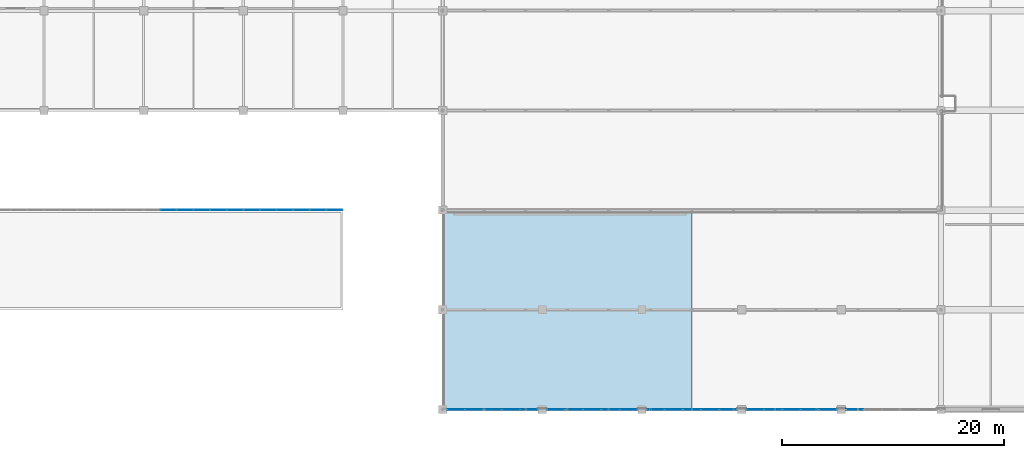
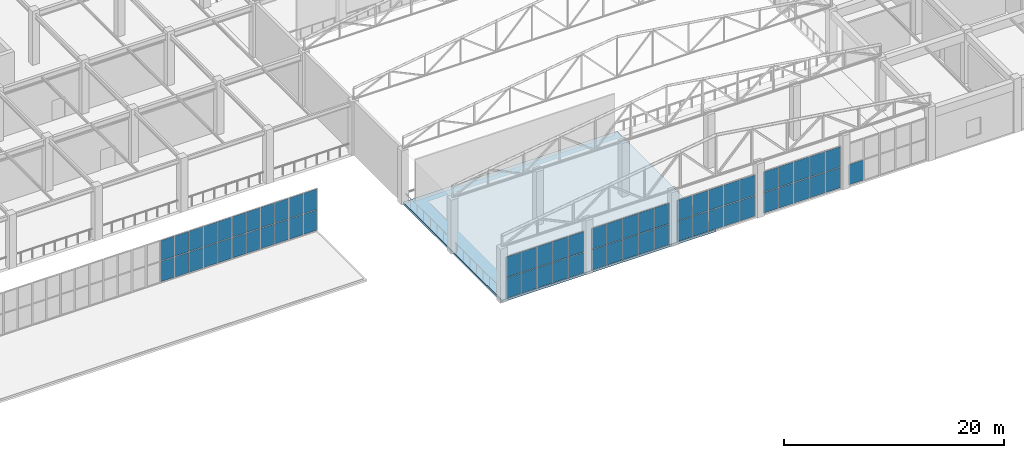
# One storey, part 173 of 223: 63 plates, 1 slab, 7 elements without a shape of their own.
"""IFC4 building model written with IfcOpenShell, lengths in metres."""

from ifc_helpers import new_model, si_unit, direction, frame, origin, origin_2d, place, context, subcontext, project, spatial, polyline, rectangle, outline, extrude, material, layer, layer_set, type_object, element, aggregate, save


model = new_model("IFC4")

# Units and contexts
model_context = context("Model", 3, precision=1e-05, world=origin(), true_north=direction((0.0, 1.0)))
body_context = subcontext(model_context, "Body", "Model", "MODEL_VIEW")
ifc_project = project(units=[si_unit("LENGTHUNIT", "METRE"), si_unit("AREAUNIT", "SQUARE_METRE"), si_unit("VOLUMEUNIT", "CUBIC_METRE"), si_unit("PLANEANGLEUNIT", "RADIAN"), si_unit("MASSUNIT", "GRAM", prefix="KILO")], contexts=[model_context])

# Site, building, storey
site_placement = place(None, origin())
site = spatial("IfcSite", under=ifc_project, at=site_placement, CompositionType="ELEMENT")
building_placement = place(site_placement, origin())
building = spatial("IfcBuilding", under=site, at=building_placement, Name="Dornveld Trade and Exhibition Forum", CompositionType="ELEMENT")
storey_placement = place(building_placement, frame((0.0, 0.0, 6.0)))
storey = spatial("IfcBuildingStorey", under=building, at=storey_placement, Name="L01", CompositionType="ELEMENT", Elevation=6.0)

# Curtain wall, plate
ifc_material_1 = material(Name="Dark-bronze anodised aluminium and low-E glass", Category="aluminium")
ifc_layer_1 = layer(ifc_material_1, 0.175048828125)
ifc_layer_set_1 = layer_set([ifc_layer_1], Name="Dark-bronze anodised aluminium and low-E glass")
curtain_wall_type_1 = type_object("IfcCurtainWallType", Name="CW-SYS-11", PredefinedType="USERDEFINED", material=ifc_layer_set_1)
curtain_wall_1_placement = place(storey_placement, origin())
curtain_wall_1 = element("IfcCurtainWall", 1, at=curtain_wall_1_placement, inside=storey, type_object=curtain_wall_type_1, Name="L01 unitised curtain wall 137", ObjectType="UNITISED_CURTAIN_WALL", PredefinedType="USERDEFINED")
ifc_material_2 = material(Name="Double-glazed low-E solar control glass", Category="glass")
ifc_layer_2 = layer(ifc_material_2, 0.02587890625)
ifc_layer_set_2 = layer_set([ifc_layer_2], Name="Double-glazed low-E solar control glass")
plate_type_1 = type_object("IfcPlateType", Name="CW-PNL-01", PredefinedType="CURTAIN_PANEL", material=ifc_layer_set_2)
plate_1_placement = place(storey_placement, frame((190.2119140625, 0.0, 0.05615234375), z_axis=(0.0, 0.0, 1.0), x_axis=(1.0, 0.0, 0.0)))
plate_1 = element("IfcPlate", 2, at=plate_1_placement, type_object=plate_type_1, Name="CW-11 panel 1.1", PredefinedType="CURTAIN_PANEL", context=body_context, shape_type="SweptSolid", body=[
    extrude(rectangle(XDim=1.5615234375, YDim=0.02587890625, at=origin_2d()), origin(), (0.0, 0.0, 1.0), 2.261962890625),
])
aggregate(curtain_wall_1, [plate_1])

# Curtain wall, plates
ifc_material_3 = material(Name="Dark-bronze anodised aluminium and low-E glass", Category="aluminium")
ifc_layer_3 = layer(ifc_material_3, 0.1630859375)
ifc_layer_set_3 = layer_set([ifc_layer_3], Name="Dark-bronze anodised aluminium and low-E glass")
curtain_wall_type_2 = type_object("IfcCurtainWallType", Name="CW-SYS-07", PredefinedType="USERDEFINED", material=ifc_layer_set_3)
curtain_wall_2_placement = place(storey_placement, origin())
curtain_wall_2 = element("IfcCurtainWall", 3, at=curtain_wall_2_placement, inside=storey, type_object=curtain_wall_type_2, Name="L01 unitised curtain wall 133", ObjectType="UNITISED_CURTAIN_WALL", PredefinedType="USERDEFINED")
ifc_material_4 = material(Name="Double-glazed low-E solar control glass", Category="glass")
ifc_layer_4 = layer(ifc_material_4, 0.033935546875)
ifc_layer_set_4 = layer_set([ifc_layer_4], Name="Double-glazed low-E solar control glass")
plate_type_2 = type_object("IfcPlateType", Name="CW-PNL-05", PredefinedType="CURTAIN_PANEL", material=ifc_layer_set_4)
plate_2_placement = place(storey_placement, frame((154.2119140625, 0.0, 0.05615234375), z_axis=(0.0, 0.0, 1.0), x_axis=(1.0, 0.0, 0.0)))
plate_2 = element("IfcPlate", 4, at=plate_2_placement, type_object=plate_type_2, Name="CW-07 panel 1.1", PredefinedType="CURTAIN_PANEL", context=body_context, shape_type="SweptSolid", body=[
    extrude(rectangle(XDim=1.5615234375, YDim=0.033935546875, at=origin_2d()), origin(), (0.0, 0.0, 1.0), 2.261962890625),
])
plate_3_placement = place(storey_placement, frame((154.2119140625, 0.0, 2.3779296875), z_axis=(0.0, 0.0, 1.0), x_axis=(1.0, 0.0, 0.0)))
plate_3 = element("IfcPlate", 5, at=plate_3_placement, type_object=plate_type_2, Name="CW-07 panel 1.2", PredefinedType="CURTAIN_PANEL", context=body_context, shape_type="SweptSolid", body=[
    extrude(rectangle(XDim=1.5615234375, YDim=0.033935546875, at=origin_2d()), origin(), (0.0, 0.0, 1.0), 2.261962890625),
])
plate_4_placement = place(storey_placement, frame((155.848388671875, 0.0, 0.05615234375), z_axis=(0.0, 0.0, 1.0), x_axis=(1.0, 0.0, 0.0)))
plate_4 = element("IfcPlate", 6, at=plate_4_placement, type_object=plate_type_2, Name="CW-07 panel 2.1", PredefinedType="CURTAIN_PANEL", context=body_context, shape_type="SweptSolid", body=[
    extrude(rectangle(XDim=1.591552734375, YDim=0.033935546875, at=origin_2d()), origin(), (0.0, 0.0, 1.0), 2.261962890625),
])
plate_5_placement = place(storey_placement, frame((155.848388671875, 0.0, 2.3779296875), z_axis=(0.0, 0.0, 1.0), x_axis=(1.0, 0.0, 0.0)))
plate_5 = element("IfcPlate", 7, at=plate_5_placement, type_object=plate_type_2, Name="CW-07 panel 2.2", PredefinedType="CURTAIN_PANEL", context=body_context, shape_type="SweptSolid", body=[
    extrude(rectangle(XDim=1.591552734375, YDim=0.033935546875, at=origin_2d()), origin(), (0.0, 0.0, 1.0), 2.261962890625),
])
plate_6_placement = place(storey_placement, frame((157.5, 0.0, 0.05615234375), z_axis=(0.0, 0.0, 1.0), x_axis=(1.0, 0.0, 0.0)))
plate_6 = element("IfcPlate", 8, at=plate_6_placement, type_object=plate_type_2, Name="CW-07 panel 3.1", PredefinedType="CURTAIN_PANEL", context=body_context, shape_type="SweptSolid", body=[
    extrude(rectangle(XDim=1.591552734375, YDim=0.033935546875, at=origin_2d()), origin(), (0.0, 0.0, 1.0), 2.261962890625),
])
plate_7_placement = place(storey_placement, frame((157.5, 0.0, 2.3779296875), z_axis=(0.0, 0.0, 1.0), x_axis=(1.0, 0.0, 0.0)))
plate_7 = element("IfcPlate", 9, at=plate_7_placement, type_object=plate_type_2, Name="CW-07 panel 3.2", PredefinedType="CURTAIN_PANEL", context=body_context, shape_type="SweptSolid", body=[
    extrude(rectangle(XDim=1.591552734375, YDim=0.033935546875, at=origin_2d()), origin(), (0.0, 0.0, 1.0), 2.261962890625),
])
plate_8_placement = place(storey_placement, frame((159.151611328125, 0.0, 0.05615234375), z_axis=(0.0, 0.0, 1.0), x_axis=(1.0, 0.0, 0.0)))
plate_8 = element("IfcPlate", 10, at=plate_8_placement, type_object=plate_type_2, Name="CW-07 panel 4.1", PredefinedType="CURTAIN_PANEL", context=body_context, shape_type="SweptSolid", body=[
    extrude(rectangle(XDim=1.591552734375, YDim=0.033935546875, at=origin_2d()), origin(), (0.0, 0.0, 1.0), 2.261962890625),
])
plate_9_placement = place(storey_placement, frame((159.151611328125, 0.0, 2.3779296875), z_axis=(0.0, 0.0, 1.0), x_axis=(1.0, 0.0, 0.0)))
plate_9 = element("IfcPlate", 11, at=plate_9_placement, type_object=plate_type_2, Name="CW-07 panel 4.2", PredefinedType="CURTAIN_PANEL", context=body_context, shape_type="SweptSolid", body=[
    extrude(rectangle(XDim=1.591552734375, YDim=0.033935546875, at=origin_2d()), origin(), (0.0, 0.0, 1.0), 2.261962890625),
])
plate_10_placement = place(storey_placement, frame((160.7880859375, 0.0, 0.05615234375), z_axis=(0.0, 0.0, 1.0), x_axis=(1.0, 0.0, 0.0)))
plate_10 = element("IfcPlate", 12, at=plate_10_placement, type_object=plate_type_2, Name="CW-07 panel 5.1", PredefinedType="CURTAIN_PANEL", context=body_context, shape_type="SweptSolid", body=[
    extrude(rectangle(XDim=1.5615234375, YDim=0.033935546875, at=origin_2d()), origin(), (0.0, 0.0, 1.0), 2.261962890625),
])
plate_11_placement = place(storey_placement, frame((160.7880859375, 0.0, 2.3779296875), z_axis=(0.0, 0.0, 1.0), x_axis=(1.0, 0.0, 0.0)))
plate_11 = element("IfcPlate", 13, at=plate_11_placement, type_object=plate_type_2, Name="CW-07 panel 5.2", PredefinedType="CURTAIN_PANEL", context=body_context, shape_type="SweptSolid", body=[
    extrude(rectangle(XDim=1.5615234375, YDim=0.033935546875, at=origin_2d()), origin(), (0.0, 0.0, 1.0), 2.261962890625),
])
aggregate(curtain_wall_2, [plate_2, plate_3, plate_4, plate_5, plate_6, plate_7, plate_8, plate_9, plate_10, plate_11])

ifc_material_5 = material(Name="Dark-bronze anodised aluminium and low-E glass", Category="aluminium")
ifc_layer_5 = layer(ifc_material_5, 0.172119140625)
ifc_layer_set_5 = layer_set([ifc_layer_5], Name="Dark-bronze anodised aluminium and low-E glass")
curtain_wall_type_3 = type_object("IfcCurtainWallType", Name="CW-SYS-10", PredefinedType="USERDEFINED", material=ifc_layer_set_5)
curtain_wall_3_placement = place(storey_placement, origin())
curtain_wall_3 = element("IfcCurtainWall", 14, at=curtain_wall_3_placement, inside=storey, type_object=curtain_wall_type_3, Name="L01 unitised curtain wall 46", ObjectType="UNITISED_CURTAIN_WALL", PredefinedType="USERDEFINED")
ifc_material_6 = material(Name="Double-glazed low-E solar control glass", Category="glass")
ifc_layer_6 = layer(ifc_material_6, 0.035888671875)
ifc_layer_set_6 = layer_set([ifc_layer_6], Name="Double-glazed low-E solar control glass")
plate_type_3 = type_object("IfcPlateType", Name="CW-PNL-06", PredefinedType="CURTAIN_PANEL", material=ifc_layer_set_6)
plate_12_placement = place(storey_placement, frame((128.25, 18.0, 0.05615234375), z_axis=(0.0, 0.0, 1.0), x_axis=(1.0, 0.0, 0.0)))
plate_12 = element("IfcPlate", 15, at=plate_12_placement, type_object=plate_type_3, Name="CW-10 panel 2.1", PredefinedType="CURTAIN_PANEL", context=body_context, shape_type="SweptSolid", body=[
    extrude(rectangle(XDim=1.43994140625, YDim=0.035888671875, at=origin_2d()), origin(), (0.0, 0.0, 1.0), 2.261962890625),
])
plate_13_placement = place(storey_placement, frame((128.25, 18.0, 2.3779296875), z_axis=(0.0, 0.0, 1.0), x_axis=(1.0, 0.0, 0.0)))
plate_13 = element("IfcPlate", 16, at=plate_13_placement, type_object=plate_type_3, Name="CW-10 panel 2.2", PredefinedType="CURTAIN_PANEL", context=body_context, shape_type="SweptSolid", body=[
    extrude(rectangle(XDim=1.43994140625, YDim=0.035888671875, at=origin_2d()), origin(), (0.0, 0.0, 1.0), 2.261962890625),
])
plate_14_placement = place(storey_placement, frame((129.75, 18.0, 0.05615234375), z_axis=(0.0, 0.0, 1.0), x_axis=(1.0, 0.0, 0.0)))
plate_14 = element("IfcPlate", 17, at=plate_14_placement, type_object=plate_type_3, Name="CW-10 panel 3.1", PredefinedType="CURTAIN_PANEL", context=body_context, shape_type="SweptSolid", body=[
    extrude(rectangle(XDim=1.43994140625, YDim=0.035888671875, at=origin_2d()), origin(), (0.0, 0.0, 1.0), 2.261962890625),
])
plate_15_placement = place(storey_placement, frame((129.75, 18.0, 2.3779296875), z_axis=(0.0, 0.0, 1.0), x_axis=(1.0, 0.0, 0.0)))
plate_15 = element("IfcPlate", 18, at=plate_15_placement, type_object=plate_type_3, Name="CW-10 panel 3.2", PredefinedType="CURTAIN_PANEL", context=body_context, shape_type="SweptSolid", body=[
    extrude(rectangle(XDim=1.43994140625, YDim=0.035888671875, at=origin_2d()), origin(), (0.0, 0.0, 1.0), 2.261962890625),
])
plate_16_placement = place(storey_placement, frame((131.25, 18.0, 0.05615234375), z_axis=(0.0, 0.0, 1.0), x_axis=(1.0, 0.0, 0.0)))
plate_16 = element("IfcPlate", 19, at=plate_16_placement, type_object=plate_type_3, Name="CW-10 panel 4.1", PredefinedType="CURTAIN_PANEL", context=body_context, shape_type="SweptSolid", body=[
    extrude(rectangle(XDim=1.43994140625, YDim=0.035888671875, at=origin_2d()), origin(), (0.0, 0.0, 1.0), 2.261962890625),
])
plate_17_placement = place(storey_placement, frame((131.25, 18.0, 2.3779296875), z_axis=(0.0, 0.0, 1.0), x_axis=(1.0, 0.0, 0.0)))
plate_17 = element("IfcPlate", 20, at=plate_17_placement, type_object=plate_type_3, Name="CW-10 panel 4.2", PredefinedType="CURTAIN_PANEL", context=body_context, shape_type="SweptSolid", body=[
    extrude(rectangle(XDim=1.43994140625, YDim=0.035888671875, at=origin_2d()), origin(), (0.0, 0.0, 1.0), 2.261962890625),
])
plate_18_placement = place(storey_placement, frame((132.75, 18.0, 0.05615234375), z_axis=(0.0, 0.0, 1.0), x_axis=(1.0, 0.0, 0.0)))
plate_18 = element("IfcPlate", 21, at=plate_18_placement, type_object=plate_type_3, Name="CW-10 panel 5.1", PredefinedType="CURTAIN_PANEL", context=body_context, shape_type="SweptSolid", body=[
    extrude(rectangle(XDim=1.43994140625, YDim=0.035888671875, at=origin_2d()), origin(), (0.0, 0.0, 1.0), 2.261962890625),
])
plate_19_placement = place(storey_placement, frame((132.75, 18.0, 2.3779296875), z_axis=(0.0, 0.0, 1.0), x_axis=(1.0, 0.0, 0.0)))
plate_19 = element("IfcPlate", 22, at=plate_19_placement, type_object=plate_type_3, Name="CW-10 panel 5.2", PredefinedType="CURTAIN_PANEL", context=body_context, shape_type="SweptSolid", body=[
    extrude(rectangle(XDim=1.43994140625, YDim=0.035888671875, at=origin_2d()), origin(), (0.0, 0.0, 1.0), 2.261962890625),
])
plate_20_placement = place(storey_placement, frame((134.235107421875, 18.0, 0.05615234375), z_axis=(0.0, 0.0, 1.0), x_axis=(1.0, 0.0, 0.0)))
plate_20 = element("IfcPlate", 23, at=plate_20_placement, type_object=plate_type_3, Name="CW-10 panel 6.1", PredefinedType="CURTAIN_PANEL", context=body_context, shape_type="SweptSolid", body=[
    extrude(rectangle(XDim=1.409912109375, YDim=0.035888671875, at=origin_2d()), origin(), (0.0, 0.0, 1.0), 2.261962890625),
])
plate_21_placement = place(storey_placement, frame((134.235107421875, 18.0, 2.3779296875), z_axis=(0.0, 0.0, 1.0), x_axis=(1.0, 0.0, 0.0)))
plate_21 = element("IfcPlate", 24, at=plate_21_placement, type_object=plate_type_3, Name="CW-10 panel 6.2", PredefinedType="CURTAIN_PANEL", context=body_context, shape_type="SweptSolid", body=[
    extrude(rectangle(XDim=1.409912109375, YDim=0.035888671875, at=origin_2d()), origin(), (0.0, 0.0, 1.0), 2.261962890625),
])
aggregate(curtain_wall_3, [plate_12, plate_13, plate_14, plate_15, plate_16, plate_17, plate_18, plate_19, plate_20, plate_21])

ifc_material_7 = material(Name="Dark-bronze anodised aluminium and low-E glass", Category="aluminium")
ifc_layer_7 = layer(ifc_material_7, 0.166015625)
ifc_layer_set_7 = layer_set([ifc_layer_7], Name="Dark-bronze anodised aluminium and low-E glass")
curtain_wall_type_4 = type_object("IfcCurtainWallType", Name="CW-SYS-08", PredefinedType="USERDEFINED", material=ifc_layer_set_7)
curtain_wall_4_placement = place(storey_placement, origin())
curtain_wall_4 = element("IfcCurtainWall", 25, at=curtain_wall_4_placement, inside=storey, type_object=curtain_wall_type_4, Name="L01 unitised curtain wall 134", ObjectType="UNITISED_CURTAIN_WALL", PredefinedType="USERDEFINED")
plate_22_placement = place(storey_placement, frame((163.2119140625, 0.0, 0.05615234375), z_axis=(0.0, 0.0, 1.0), x_axis=(1.0, 0.0, 0.0)))
plate_22 = element("IfcPlate", 26, at=plate_22_placement, type_object=plate_type_3, Name="CW-08 panel 1.1", PredefinedType="CURTAIN_PANEL", context=body_context, shape_type="SweptSolid", body=[
    extrude(rectangle(XDim=1.5615234375, YDim=0.035888671875, at=origin_2d()), origin(), (0.0, 0.0, 1.0), 2.261962890625),
])
plate_23_placement = place(storey_placement, frame((163.2119140625, 0.0, 2.3779296875), z_axis=(0.0, 0.0, 1.0), x_axis=(1.0, 0.0, 0.0)))
plate_23 = element("IfcPlate", 27, at=plate_23_placement, type_object=plate_type_3, Name="CW-08 panel 1.2", PredefinedType="CURTAIN_PANEL", context=body_context, shape_type="SweptSolid", body=[
    extrude(rectangle(XDim=1.5615234375, YDim=0.035888671875, at=origin_2d()), origin(), (0.0, 0.0, 1.0), 2.261962890625),
])
plate_24_placement = place(storey_placement, frame((164.848388671875, 0.0, 0.05615234375), z_axis=(0.0, 0.0, 1.0), x_axis=(1.0, 0.0, 0.0)))
plate_24 = element("IfcPlate", 28, at=plate_24_placement, type_object=plate_type_3, Name="CW-08 panel 2.1", PredefinedType="CURTAIN_PANEL", context=body_context, shape_type="SweptSolid", body=[
    extrude(rectangle(XDim=1.591552734375, YDim=0.035888671875, at=origin_2d()), origin(), (0.0, 0.0, 1.0), 2.261962890625),
])
plate_25_placement = place(storey_placement, frame((164.848388671875, 0.0, 2.3779296875), z_axis=(0.0, 0.0, 1.0), x_axis=(1.0, 0.0, 0.0)))
plate_25 = element("IfcPlate", 29, at=plate_25_placement, type_object=plate_type_3, Name="CW-08 panel 2.2", PredefinedType="CURTAIN_PANEL", context=body_context, shape_type="SweptSolid", body=[
    extrude(rectangle(XDim=1.591552734375, YDim=0.035888671875, at=origin_2d()), origin(), (0.0, 0.0, 1.0), 2.261962890625),
])
plate_26_placement = place(storey_placement, frame((166.5, 0.0, 0.05615234375), z_axis=(0.0, 0.0, 1.0), x_axis=(1.0, 0.0, 0.0)))
plate_26 = element("IfcPlate", 30, at=plate_26_placement, type_object=plate_type_3, Name="CW-08 panel 3.1", PredefinedType="CURTAIN_PANEL", context=body_context, shape_type="SweptSolid", body=[
    extrude(rectangle(XDim=1.591552734375, YDim=0.035888671875, at=origin_2d()), origin(), (0.0, 0.0, 1.0), 2.261962890625),
])
plate_27_placement = place(storey_placement, frame((166.5, 0.0, 2.3779296875), z_axis=(0.0, 0.0, 1.0), x_axis=(1.0, 0.0, 0.0)))
plate_27 = element("IfcPlate", 31, at=plate_27_placement, type_object=plate_type_3, Name="CW-08 panel 3.2", PredefinedType="CURTAIN_PANEL", context=body_context, shape_type="SweptSolid", body=[
    extrude(rectangle(XDim=1.591552734375, YDim=0.035888671875, at=origin_2d()), origin(), (0.0, 0.0, 1.0), 2.261962890625),
])
plate_28_placement = place(storey_placement, frame((168.151611328125, 0.0, 0.05615234375), z_axis=(0.0, 0.0, 1.0), x_axis=(1.0, 0.0, 0.0)))
plate_28 = element("IfcPlate", 32, at=plate_28_placement, type_object=plate_type_3, Name="CW-08 panel 4.1", PredefinedType="CURTAIN_PANEL", context=body_context, shape_type="SweptSolid", body=[
    extrude(rectangle(XDim=1.591552734375, YDim=0.035888671875, at=origin_2d()), origin(), (0.0, 0.0, 1.0), 2.261962890625),
])
plate_29_placement = place(storey_placement, frame((168.151611328125, 0.0, 2.3779296875), z_axis=(0.0, 0.0, 1.0), x_axis=(1.0, 0.0, 0.0)))
plate_29 = element("IfcPlate", 33, at=plate_29_placement, type_object=plate_type_3, Name="CW-08 panel 4.2", PredefinedType="CURTAIN_PANEL", context=body_context, shape_type="SweptSolid", body=[
    extrude(rectangle(XDim=1.591552734375, YDim=0.035888671875, at=origin_2d()), origin(), (0.0, 0.0, 1.0), 2.261962890625),
])
plate_30_placement = place(storey_placement, frame((169.7880859375, 0.0, 0.05615234375), z_axis=(0.0, 0.0, 1.0), x_axis=(1.0, 0.0, 0.0)))
plate_30 = element("IfcPlate", 34, at=plate_30_placement, type_object=plate_type_3, Name="CW-08 panel 5.1", PredefinedType="CURTAIN_PANEL", context=body_context, shape_type="SweptSolid", body=[
    extrude(rectangle(XDim=1.5615234375, YDim=0.035888671875, at=origin_2d()), origin(), (0.0, 0.0, 1.0), 2.261962890625),
])
plate_31_placement = place(storey_placement, frame((169.7880859375, 0.0, 2.3779296875), z_axis=(0.0, 0.0, 1.0), x_axis=(1.0, 0.0, 0.0)))
plate_31 = element("IfcPlate", 35, at=plate_31_placement, type_object=plate_type_3, Name="CW-08 panel 5.2", PredefinedType="CURTAIN_PANEL", context=body_context, shape_type="SweptSolid", body=[
    extrude(rectangle(XDim=1.5615234375, YDim=0.035888671875, at=origin_2d()), origin(), (0.0, 0.0, 1.0), 2.261962890625),
])
aggregate(curtain_wall_4, [plate_22, plate_23, plate_24, plate_25, plate_26, plate_27, plate_28, plate_29, plate_30, plate_31])

curtain_wall_5_placement = place(storey_placement, origin())
curtain_wall_5 = element("IfcCurtainWall", 36, at=curtain_wall_5_placement, inside=storey, type_object=curtain_wall_type_1, Name="L01 unitised curtain wall 47", ObjectType="UNITISED_CURTAIN_WALL", PredefinedType="USERDEFINED")
ifc_material_8 = material(Name="Double-glazed low-E solar control glass", Category="glass")
ifc_layer_8 = layer(ifc_material_8, 0.0380859375)
ifc_layer_set_8 = layer_set([ifc_layer_8], Name="Double-glazed low-E solar control glass")
plate_type_4 = type_object("IfcPlateType", Name="CW-PNL-07", PredefinedType="CURTAIN_PANEL", material=ifc_layer_set_8)
plate_32_placement = place(storey_placement, frame((135.764892578125, 18.0, 0.05615234375), z_axis=(0.0, 0.0, 1.0), x_axis=(1.0, 0.0, 0.0)))
plate_32 = element("IfcPlate", 37, at=plate_32_placement, type_object=plate_type_4, Name="CW-11 panel 1.1", PredefinedType="CURTAIN_PANEL", context=body_context, shape_type="SweptSolid", body=[
    extrude(rectangle(XDim=1.409912109375, YDim=0.0380859375, at=origin_2d()), origin(), (0.0, 0.0, 1.0), 2.261962890625),
])
plate_33_placement = place(storey_placement, frame((135.764892578125, 18.0, 2.3779296875), z_axis=(0.0, 0.0, 1.0), x_axis=(1.0, 0.0, 0.0)))
plate_33 = element("IfcPlate", 38, at=plate_33_placement, type_object=plate_type_4, Name="CW-11 panel 1.2", PredefinedType="CURTAIN_PANEL", context=body_context, shape_type="SweptSolid", body=[
    extrude(rectangle(XDim=1.409912109375, YDim=0.0380859375, at=origin_2d()), origin(), (0.0, 0.0, 1.0), 2.261962890625),
])
plate_34_placement = place(storey_placement, frame((137.25, 18.0, 0.05615234375), z_axis=(0.0, 0.0, 1.0), x_axis=(1.0, 0.0, 0.0)))
plate_34 = element("IfcPlate", 39, at=plate_34_placement, type_object=plate_type_4, Name="CW-11 panel 2.1", PredefinedType="CURTAIN_PANEL", context=body_context, shape_type="SweptSolid", body=[
    extrude(rectangle(XDim=1.43994140625, YDim=0.0380859375, at=origin_2d()), origin(), (0.0, 0.0, 1.0), 2.261962890625),
])
plate_35_placement = place(storey_placement, frame((137.25, 18.0, 2.3779296875), z_axis=(0.0, 0.0, 1.0), x_axis=(1.0, 0.0, 0.0)))
plate_35 = element("IfcPlate", 40, at=plate_35_placement, type_object=plate_type_4, Name="CW-11 panel 2.2", PredefinedType="CURTAIN_PANEL", context=body_context, shape_type="SweptSolid", body=[
    extrude(rectangle(XDim=1.43994140625, YDim=0.0380859375, at=origin_2d()), origin(), (0.0, 0.0, 1.0), 2.261962890625),
])
plate_36_placement = place(storey_placement, frame((138.75, 18.0, 0.05615234375), z_axis=(0.0, 0.0, 1.0), x_axis=(1.0, 0.0, 0.0)))
plate_36 = element("IfcPlate", 41, at=plate_36_placement, type_object=plate_type_4, Name="CW-11 panel 3.1", PredefinedType="CURTAIN_PANEL", context=body_context, shape_type="SweptSolid", body=[
    extrude(rectangle(XDim=1.43994140625, YDim=0.0380859375, at=origin_2d()), origin(), (0.0, 0.0, 1.0), 2.261962890625),
])
plate_37_placement = place(storey_placement, frame((138.75, 18.0, 2.3779296875), z_axis=(0.0, 0.0, 1.0), x_axis=(1.0, 0.0, 0.0)))
plate_37 = element("IfcPlate", 42, at=plate_37_placement, type_object=plate_type_4, Name="CW-11 panel 3.2", PredefinedType="CURTAIN_PANEL", context=body_context, shape_type="SweptSolid", body=[
    extrude(rectangle(XDim=1.43994140625, YDim=0.0380859375, at=origin_2d()), origin(), (0.0, 0.0, 1.0), 2.261962890625),
])
plate_38_placement = place(storey_placement, frame((140.25, 18.0, 0.05615234375), z_axis=(0.0, 0.0, 1.0), x_axis=(1.0, 0.0, 0.0)))
plate_38 = element("IfcPlate", 43, at=plate_38_placement, type_object=plate_type_4, Name="CW-11 panel 4.1", PredefinedType="CURTAIN_PANEL", context=body_context, shape_type="SweptSolid", body=[
    extrude(rectangle(XDim=1.43994140625, YDim=0.0380859375, at=origin_2d()), origin(), (0.0, 0.0, 1.0), 2.261962890625),
])
plate_39_placement = place(storey_placement, frame((140.25, 18.0, 2.3779296875), z_axis=(0.0, 0.0, 1.0), x_axis=(1.0, 0.0, 0.0)))
plate_39 = element("IfcPlate", 44, at=plate_39_placement, type_object=plate_type_4, Name="CW-11 panel 4.2", PredefinedType="CURTAIN_PANEL", context=body_context, shape_type="SweptSolid", body=[
    extrude(rectangle(XDim=1.43994140625, YDim=0.0380859375, at=origin_2d()), origin(), (0.0, 0.0, 1.0), 2.261962890625),
])
plate_40_placement = place(storey_placement, frame((141.75, 18.0, 0.05615234375), z_axis=(0.0, 0.0, 1.0), x_axis=(1.0, 0.0, 0.0)))
plate_40 = element("IfcPlate", 45, at=plate_40_placement, type_object=plate_type_4, Name="CW-11 panel 5.1", PredefinedType="CURTAIN_PANEL", context=body_context, shape_type="SweptSolid", body=[
    extrude(rectangle(XDim=1.43994140625, YDim=0.0380859375, at=origin_2d()), origin(), (0.0, 0.0, 1.0), 2.261962890625),
])
plate_41_placement = place(storey_placement, frame((141.75, 18.0, 2.3779296875), z_axis=(0.0, 0.0, 1.0), x_axis=(1.0, 0.0, 0.0)))
plate_41 = element("IfcPlate", 46, at=plate_41_placement, type_object=plate_type_4, Name="CW-11 panel 5.2", PredefinedType="CURTAIN_PANEL", context=body_context, shape_type="SweptSolid", body=[
    extrude(rectangle(XDim=1.43994140625, YDim=0.0380859375, at=origin_2d()), origin(), (0.0, 0.0, 1.0), 2.261962890625),
])
plate_42_placement = place(storey_placement, frame((143.235107421875, 18.0, 0.05615234375), z_axis=(0.0, 0.0, 1.0), x_axis=(1.0, 0.0, 0.0)))
plate_42 = element("IfcPlate", 47, at=plate_42_placement, type_object=plate_type_4, Name="CW-11 panel 6.1", PredefinedType="CURTAIN_PANEL", context=body_context, shape_type="SweptSolid", body=[
    extrude(rectangle(XDim=1.409912109375, YDim=0.0380859375, at=origin_2d()), origin(), (0.0, 0.0, 1.0), 2.261962890625),
])
plate_43_placement = place(storey_placement, frame((143.235107421875, 18.0, 2.3779296875), z_axis=(0.0, 0.0, 1.0), x_axis=(1.0, 0.0, 0.0)))
plate_43 = element("IfcPlate", 48, at=plate_43_placement, type_object=plate_type_4, Name="CW-11 panel 6.2", PredefinedType="CURTAIN_PANEL", context=body_context, shape_type="SweptSolid", body=[
    extrude(rectangle(XDim=1.409912109375, YDim=0.0380859375, at=origin_2d()), origin(), (0.0, 0.0, 1.0), 2.261962890625),
])
aggregate(curtain_wall_5, [plate_32, plate_33, plate_34, plate_35, plate_36, plate_37, plate_38, plate_39, plate_40, plate_41, plate_42, plate_43])

ifc_material_9 = material(Name="Dark-bronze anodised aluminium and low-E glass", Category="aluminium")
ifc_layer_9 = layer(ifc_material_9, 0.1689453125)
ifc_layer_set_9 = layer_set([ifc_layer_9], Name="Dark-bronze anodised aluminium and low-E glass")
curtain_wall_type_5 = type_object("IfcCurtainWallType", Name="CW-SYS-09", PredefinedType="USERDEFINED", material=ifc_layer_set_9)
curtain_wall_6_placement = place(storey_placement, origin())
curtain_wall_6 = element("IfcCurtainWall", 49, at=curtain_wall_6_placement, inside=storey, type_object=curtain_wall_type_5, Name="L01 unitised curtain wall 135", ObjectType="UNITISED_CURTAIN_WALL", PredefinedType="USERDEFINED")
plate_44_placement = place(storey_placement, frame((172.2119140625, 0.0, 0.05615234375), z_axis=(0.0, 0.0, 1.0), x_axis=(1.0, 0.0, 0.0)))
plate_44 = element("IfcPlate", 50, at=plate_44_placement, type_object=plate_type_4, Name="CW-09 panel 1.1", PredefinedType="CURTAIN_PANEL", context=body_context, shape_type="SweptSolid", body=[
    extrude(rectangle(XDim=1.5615234375, YDim=0.0380859375, at=origin_2d()), origin(), (0.0, 0.0, 1.0), 2.261962890625),
])
plate_45_placement = place(storey_placement, frame((172.2119140625, 0.0, 2.3779296875), z_axis=(0.0, 0.0, 1.0), x_axis=(1.0, 0.0, 0.0)))
plate_45 = element("IfcPlate", 51, at=plate_45_placement, type_object=plate_type_4, Name="CW-09 panel 1.2", PredefinedType="CURTAIN_PANEL", context=body_context, shape_type="SweptSolid", body=[
    extrude(rectangle(XDim=1.5615234375, YDim=0.0380859375, at=origin_2d()), origin(), (0.0, 0.0, 1.0), 2.261962890625),
])
plate_46_placement = place(storey_placement, frame((173.848388671875, 0.0, 0.05615234375), z_axis=(0.0, 0.0, 1.0), x_axis=(1.0, 0.0, 0.0)))
plate_46 = element("IfcPlate", 52, at=plate_46_placement, type_object=plate_type_4, Name="CW-09 panel 2.1", PredefinedType="CURTAIN_PANEL", context=body_context, shape_type="SweptSolid", body=[
    extrude(rectangle(XDim=1.591552734375, YDim=0.0380859375, at=origin_2d()), origin(), (0.0, 0.0, 1.0), 2.261962890625),
])
plate_47_placement = place(storey_placement, frame((173.848388671875, 0.0, 2.3779296875), z_axis=(0.0, 0.0, 1.0), x_axis=(1.0, 0.0, 0.0)))
plate_47 = element("IfcPlate", 53, at=plate_47_placement, type_object=plate_type_4, Name="CW-09 panel 2.2", PredefinedType="CURTAIN_PANEL", context=body_context, shape_type="SweptSolid", body=[
    extrude(rectangle(XDim=1.591552734375, YDim=0.0380859375, at=origin_2d()), origin(), (0.0, 0.0, 1.0), 2.261962890625),
])
plate_48_placement = place(storey_placement, frame((175.5, 0.0, 0.05615234375), z_axis=(0.0, 0.0, 1.0), x_axis=(1.0, 0.0, 0.0)))
plate_48 = element("IfcPlate", 54, at=plate_48_placement, type_object=plate_type_4, Name="CW-09 panel 3.1", PredefinedType="CURTAIN_PANEL", context=body_context, shape_type="SweptSolid", body=[
    extrude(rectangle(XDim=1.591552734375, YDim=0.0380859375, at=origin_2d()), origin(), (0.0, 0.0, 1.0), 2.261962890625),
])
plate_49_placement = place(storey_placement, frame((175.5, 0.0, 2.3779296875), z_axis=(0.0, 0.0, 1.0), x_axis=(1.0, 0.0, 0.0)))
plate_49 = element("IfcPlate", 55, at=plate_49_placement, type_object=plate_type_4, Name="CW-09 panel 3.2", PredefinedType="CURTAIN_PANEL", context=body_context, shape_type="SweptSolid", body=[
    extrude(rectangle(XDim=1.591552734375, YDim=0.0380859375, at=origin_2d()), origin(), (0.0, 0.0, 1.0), 2.261962890625),
])
plate_50_placement = place(storey_placement, frame((177.151611328125, 0.0, 0.05615234375), z_axis=(0.0, 0.0, 1.0), x_axis=(1.0, 0.0, 0.0)))
plate_50 = element("IfcPlate", 56, at=plate_50_placement, type_object=plate_type_4, Name="CW-09 panel 4.1", PredefinedType="CURTAIN_PANEL", context=body_context, shape_type="SweptSolid", body=[
    extrude(rectangle(XDim=1.591552734375, YDim=0.0380859375, at=origin_2d()), origin(), (0.0, 0.0, 1.0), 2.261962890625),
])
plate_51_placement = place(storey_placement, frame((177.151611328125, 0.0, 2.3779296875), z_axis=(0.0, 0.0, 1.0), x_axis=(1.0, 0.0, 0.0)))
plate_51 = element("IfcPlate", 57, at=plate_51_placement, type_object=plate_type_4, Name="CW-09 panel 4.2", PredefinedType="CURTAIN_PANEL", context=body_context, shape_type="SweptSolid", body=[
    extrude(rectangle(XDim=1.591552734375, YDim=0.0380859375, at=origin_2d()), origin(), (0.0, 0.0, 1.0), 2.261962890625),
])
plate_52_placement = place(storey_placement, frame((178.7880859375, 0.0, 0.05615234375), z_axis=(0.0, 0.0, 1.0), x_axis=(1.0, 0.0, 0.0)))
plate_52 = element("IfcPlate", 58, at=plate_52_placement, type_object=plate_type_4, Name="CW-09 panel 5.1", PredefinedType="CURTAIN_PANEL", context=body_context, shape_type="SweptSolid", body=[
    extrude(rectangle(XDim=1.5615234375, YDim=0.0380859375, at=origin_2d()), origin(), (0.0, 0.0, 1.0), 2.261962890625),
])
plate_53_placement = place(storey_placement, frame((178.7880859375, 0.0, 2.3779296875), z_axis=(0.0, 0.0, 1.0), x_axis=(1.0, 0.0, 0.0)))
plate_53 = element("IfcPlate", 59, at=plate_53_placement, type_object=plate_type_4, Name="CW-09 panel 5.2", PredefinedType="CURTAIN_PANEL", context=body_context, shape_type="SweptSolid", body=[
    extrude(rectangle(XDim=1.5615234375, YDim=0.0380859375, at=origin_2d()), origin(), (0.0, 0.0, 1.0), 2.261962890625),
])
aggregate(curtain_wall_6, [plate_44, plate_45, plate_46, plate_47, plate_48, plate_49, plate_50, plate_51, plate_52, plate_53])

curtain_wall_7_placement = place(storey_placement, origin())
curtain_wall_7 = element("IfcCurtainWall", 60, at=curtain_wall_7_placement, inside=storey, type_object=curtain_wall_type_3, Name="L01 unitised curtain wall 136", ObjectType="UNITISED_CURTAIN_WALL", PredefinedType="USERDEFINED")
ifc_material_10 = material(Name="Double-glazed low-E solar control glass", Category="glass")
ifc_layer_10 = layer(ifc_material_10, 0.0400390625)
ifc_layer_set_10 = layer_set([ifc_layer_10], Name="Double-glazed low-E solar control glass")
plate_type_5 = type_object("IfcPlateType", Name="CW-PNL-08", PredefinedType="CURTAIN_PANEL", material=ifc_layer_set_10)
plate_54_placement = place(storey_placement, frame((181.2119140625, 0.0, 0.05615234375), z_axis=(0.0, 0.0, 1.0), x_axis=(1.0, 0.0, 0.0)))
plate_54 = element("IfcPlate", 61, at=plate_54_placement, type_object=plate_type_5, Name="CW-10 panel 1.1", PredefinedType="CURTAIN_PANEL", context=body_context, shape_type="SweptSolid", body=[
    extrude(rectangle(XDim=1.5615234375, YDim=0.0400390625, at=origin_2d()), origin(), (0.0, 0.0, 1.0), 2.261962890625),
])
plate_55_placement = place(storey_placement, frame((181.2119140625, 0.0, 2.3779296875), z_axis=(0.0, 0.0, 1.0), x_axis=(1.0, 0.0, 0.0)))
plate_55 = element("IfcPlate", 62, at=plate_55_placement, type_object=plate_type_5, Name="CW-10 panel 1.2", PredefinedType="CURTAIN_PANEL", context=body_context, shape_type="SweptSolid", body=[
    extrude(rectangle(XDim=1.5615234375, YDim=0.0400390625, at=origin_2d()), origin(), (0.0, 0.0, 1.0), 2.261962890625),
])
plate_56_placement = place(storey_placement, frame((182.848388671875, 0.0, 0.05615234375), z_axis=(0.0, 0.0, 1.0), x_axis=(1.0, 0.0, 0.0)))
plate_56 = element("IfcPlate", 63, at=plate_56_placement, type_object=plate_type_5, Name="CW-10 panel 2.1", PredefinedType="CURTAIN_PANEL", context=body_context, shape_type="SweptSolid", body=[
    extrude(rectangle(XDim=1.591552734375, YDim=0.0400390625, at=origin_2d()), origin(), (0.0, 0.0, 1.0), 2.261962890625),
])
plate_57_placement = place(storey_placement, frame((182.848388671875, 0.0, 2.3779296875), z_axis=(0.0, 0.0, 1.0), x_axis=(1.0, 0.0, 0.0)))
plate_57 = element("IfcPlate", 64, at=plate_57_placement, type_object=plate_type_5, Name="CW-10 panel 2.2", PredefinedType="CURTAIN_PANEL", context=body_context, shape_type="SweptSolid", body=[
    extrude(rectangle(XDim=1.591552734375, YDim=0.0400390625, at=origin_2d()), origin(), (0.0, 0.0, 1.0), 2.261962890625),
])
plate_58_placement = place(storey_placement, frame((184.5, 0.0, 0.05615234375), z_axis=(0.0, 0.0, 1.0), x_axis=(1.0, 0.0, 0.0)))
plate_58 = element("IfcPlate", 65, at=plate_58_placement, type_object=plate_type_5, Name="CW-10 panel 3.1", PredefinedType="CURTAIN_PANEL", context=body_context, shape_type="SweptSolid", body=[
    extrude(rectangle(XDim=1.591552734375, YDim=0.0400390625, at=origin_2d()), origin(), (0.0, 0.0, 1.0), 2.261962890625),
])
plate_59_placement = place(storey_placement, frame((184.5, 0.0, 2.3779296875), z_axis=(0.0, 0.0, 1.0), x_axis=(1.0, 0.0, 0.0)))
plate_59 = element("IfcPlate", 66, at=plate_59_placement, type_object=plate_type_5, Name="CW-10 panel 3.2", PredefinedType="CURTAIN_PANEL", context=body_context, shape_type="SweptSolid", body=[
    extrude(rectangle(XDim=1.591552734375, YDim=0.0400390625, at=origin_2d()), origin(), (0.0, 0.0, 1.0), 2.261962890625),
])
plate_60_placement = place(storey_placement, frame((186.151611328125, 0.0, 0.05615234375), z_axis=(0.0, 0.0, 1.0), x_axis=(1.0, 0.0, 0.0)))
plate_60 = element("IfcPlate", 67, at=plate_60_placement, type_object=plate_type_5, Name="CW-10 panel 4.1", PredefinedType="CURTAIN_PANEL", context=body_context, shape_type="SweptSolid", body=[
    extrude(rectangle(XDim=1.591552734375, YDim=0.0400390625, at=origin_2d()), origin(), (0.0, 0.0, 1.0), 2.261962890625),
])
plate_61_placement = place(storey_placement, frame((186.151611328125, 0.0, 2.3779296875), z_axis=(0.0, 0.0, 1.0), x_axis=(1.0, 0.0, 0.0)))
plate_61 = element("IfcPlate", 68, at=plate_61_placement, type_object=plate_type_5, Name="CW-10 panel 4.2", PredefinedType="CURTAIN_PANEL", context=body_context, shape_type="SweptSolid", body=[
    extrude(rectangle(XDim=1.591552734375, YDim=0.0400390625, at=origin_2d()), origin(), (0.0, 0.0, 1.0), 2.261962890625),
])
plate_62_placement = place(storey_placement, frame((187.7880859375, 0.0, 0.05615234375), z_axis=(0.0, 0.0, 1.0), x_axis=(1.0, 0.0, 0.0)))
plate_62 = element("IfcPlate", 69, at=plate_62_placement, type_object=plate_type_5, Name="CW-10 panel 5.1", PredefinedType="CURTAIN_PANEL", context=body_context, shape_type="SweptSolid", body=[
    extrude(rectangle(XDim=1.5615234375, YDim=0.0400390625, at=origin_2d()), origin(), (0.0, 0.0, 1.0), 2.261962890625),
])
plate_63_placement = place(storey_placement, frame((187.7880859375, 0.0, 2.3779296875), z_axis=(0.0, 0.0, 1.0), x_axis=(1.0, 0.0, 0.0)))
plate_63 = element("IfcPlate", 70, at=plate_63_placement, type_object=plate_type_5, Name="CW-10 panel 5.2", PredefinedType="CURTAIN_PANEL", context=body_context, shape_type="SweptSolid", body=[
    extrude(rectangle(XDim=1.5615234375, YDim=0.0400390625, at=origin_2d()), origin(), (0.0, 0.0, 1.0), 2.261962890625),
])
aggregate(curtain_wall_7, [plate_54, plate_55, plate_56, plate_57, plate_58, plate_59, plate_60, plate_61, plate_62, plate_63])

# Slab
ifc_material_11 = material(Name="Precast concrete C50/60", Category="concrete")
ifc_layer_11 = layer(ifc_material_11, 0.239990234375)
ifc_layer_set_11 = layer_set([ifc_layer_11], Name="Precast concrete C50/60")
slab_type = type_object("IfcSlabType", Name="SL-RAKE-240", PredefinedType="FLOOR", material=ifc_layer_set_11)
slab_placement = place(storey_placement, frame((0.0, 0.0, -0.239990234375)))
element("IfcSlab", 71, at=slab_placement, inside=storey, type_object=slab_type, Name="L01 structural slab panel 42", PredefinedType="FLOOR", context=body_context, shape_type="SweptSolid", body=[
    extrude(outline(polyline([(153.0, 0.0), (175.5, 0.0), (175.5, 18.0), (153.0, 18.0), (153.0, 0.0)])), origin(), (0.0, 0.0, 1.0), 0.239990234375),
])

save(model, "model.ifc")
